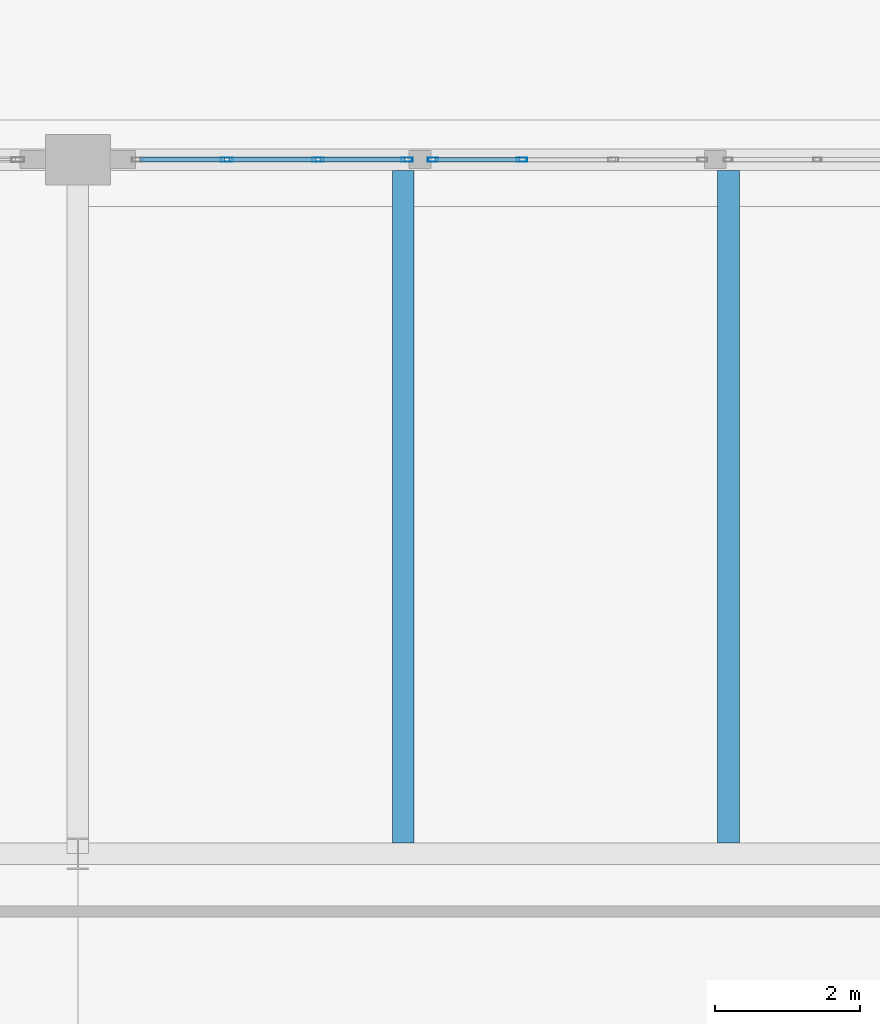
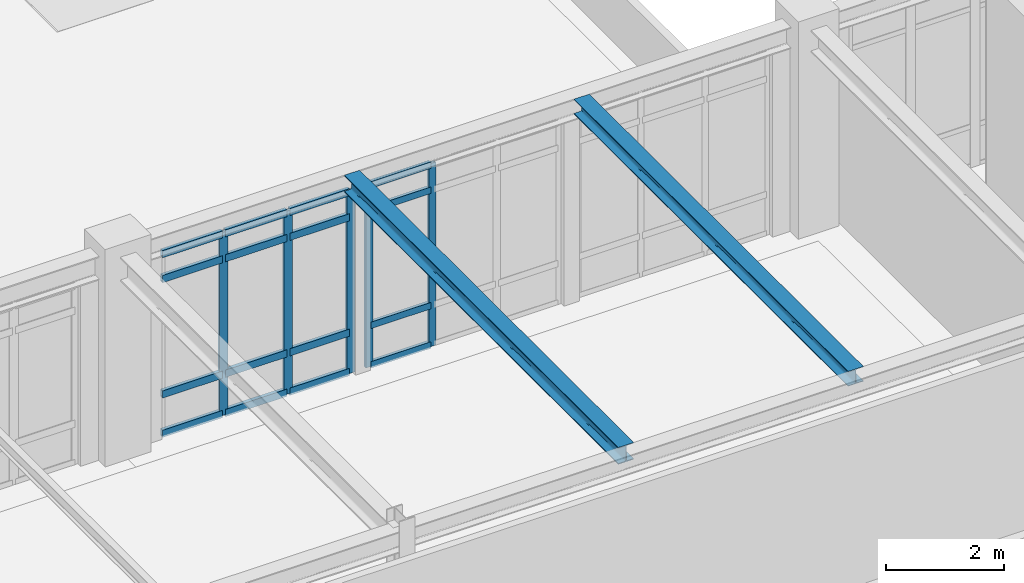
# One storey, part 30 of 55: 21 members, 2 beams, 2 elements without a shape of their own.
"""IFC4 building model written with IfcOpenShell, lengths in metres."""

from ifc_helpers import new_model, si_unit, direction, frame, origin, origin_2d, place, context, subcontext, project, spatial, hollow_rectangle, i_section, extrude, material, layer, layer_set, material_profile, profile_set, type_object, element, aggregate, save


model = new_model("IFC4")

# Units and contexts
model_context = context("Model", 3, precision=1e-05, world=origin(), true_north=direction((0.0, 1.0)))
body_context = subcontext(model_context, "Body", "Model", "MODEL_VIEW")
ifc_project = project(units=[si_unit("LENGTHUNIT", "METRE"), si_unit("AREAUNIT", "SQUARE_METRE"), si_unit("VOLUMEUNIT", "CUBIC_METRE"), si_unit("PLANEANGLEUNIT", "RADIAN"), si_unit("MASSUNIT", "GRAM", prefix="KILO")], contexts=[model_context])

# Site, building, storey
site_placement = place(None, origin())
site = spatial("IfcSite", under=ifc_project, at=site_placement, CompositionType="ELEMENT")
building_placement = place(site_placement, origin())
building = spatial("IfcBuilding", under=site, at=building_placement, Name="Fikremerkos Civic Library", CompositionType="ELEMENT")
storey_placement = place(building_placement, frame((0.0, 0.0, 18.89990234375)))
storey = spatial("IfcBuildingStorey", under=building, at=storey_placement, Name="L04", CompositionType="ELEMENT", Elevation=18.89990234375)

# Curtain wall, members
ifc_material_1 = material(Name="Anodized aluminium Frame", Category="aluminium")
ifc_layer_1 = layer(ifc_material_1, 0.159912109375, Name="Anodized aluminium Frame")
ifc_layer_set_1 = layer_set([ifc_layer_1], Name="Anodized aluminium Frame")
curtain_wall_type_1 = type_object("IfcCurtainWallType", Name="Unitised curtain wall CW-10 4000x3400", PredefinedType="USERDEFINED", material=ifc_layer_set_1)
curtain_wall_1_placement = place(storey_placement, origin())
curtain_wall_1 = element("IfcCurtainWall", 1, at=curtain_wall_1_placement, inside=storey, type_object=curtain_wall_type_1, Name="Unitised curtain wall CW-10 L04 #244", ObjectType="UNITISED CURTAIN WALL", PredefinedType="USERDEFINED")
ifc_material_profile_1 = material_profile(ifc_material_1, hollow_rectangle(XDim=0.06005859375, YDim=0.159912109375, WallThickness=0.00390625, at=origin_2d()), Name="ALU 160x60x4")
ifc_profile_set_1 = profile_set([ifc_material_profile_1], Name="Anodized aluminium Frame")
member_type_1 = type_object("IfcMemberType", Name="Curtain mullion CWM-02 ALU 160x60x4", PredefinedType="MULLION", material=ifc_profile_set_1)
member_1_placement = place(storey_placement, frame((88.759521484375, 31.199951171875, 0.0), z_axis=(0.0, 0.0, 1.0), x_axis=(0.0, 1.0, 0.0)))
member_1 = element("IfcMember", 2, at=member_1_placement, type_object=member_type_1, Name="CW-10 mullion 2", PredefinedType="MULLION", context=body_context, shape_type="SweptSolid", body=[
    extrude(hollow_rectangle(XDim=0.06005859375, YDim=0.159912109375, WallThickness=0.00390625, at=origin_2d()), origin(), (0.0, 0.0, 1.0), 3.7900390625),
])
member_2_placement = place(storey_placement, frame((90.02099609375, 31.199951171875, 0.0), z_axis=(0.0, 0.0, 1.0), x_axis=(0.0, 1.0, 0.0)))
member_2 = element("IfcMember", 3, at=member_2_placement, type_object=member_type_1, Name="CW-10 mullion 3", PredefinedType="MULLION", context=body_context, shape_type="SweptSolid", body=[
    extrude(hollow_rectangle(XDim=0.06005859375, YDim=0.159912109375, WallThickness=0.00390625, at=origin_2d()), origin(), (0.0, 0.0, 1.0), 3.7900390625),
])
member_3_placement = place(storey_placement, frame((91.252685546875, 31.199951171875, 0.0), z_axis=(0.0, 0.0, 1.0), x_axis=(0.0, 1.0, 0.0)))
member_3 = element("IfcMember", 4, at=member_3_placement, type_object=member_type_1, Name="CW-10 mullion 4", PredefinedType="MULLION", context=body_context, shape_type="SweptSolid", body=[
    extrude(hollow_rectangle(XDim=0.06005859375, YDim=0.159912109375, WallThickness=0.00390625, at=origin_2d()), origin(), (0.0, 0.0, 1.0), 3.7900390625),
])

ifc_layer_2 = layer(ifc_material_1, 0.159912109375, Name="Anodized aluminium Frame")
ifc_layer_set_2 = layer_set([ifc_layer_2], Name="Anodized aluminium Frame")
curtain_wall_type_2 = type_object("IfcCurtainWallType", Name="Unitised curtain wall CW-11 3200x3400", PredefinedType="USERDEFINED", material=ifc_layer_set_2)
curtain_wall_2_placement = place(storey_placement, origin())
curtain_wall_2 = element("IfcCurtainWall", 5, at=curtain_wall_2_placement, inside=storey, type_object=curtain_wall_type_2, Name="Unitised curtain wall CW-11 L04 #245", ObjectType="UNITISED CURTAIN WALL", PredefinedType="USERDEFINED")
ifc_material_profile_2 = material_profile(ifc_material_1, hollow_rectangle(XDim=0.06005859375, YDim=0.139892578125, WallThickness=0.00390625, at=origin_2d()), Name="ALU 140x60x4")
ifc_profile_set_2 = profile_set([ifc_material_profile_2], Name="Anodized aluminium Frame")
member_type_2 = type_object("IfcMemberType", Name="Curtain mullion CWM-03 ALU 140x60x4", PredefinedType="MULLION", material=ifc_profile_set_2)
member_4_placement = place(storey_placement, frame((91.612548828125, 31.199951171875, 0.0), z_axis=(0.0, 0.0, 1.0), x_axis=(0.0, 1.0, 0.0)))
member_4 = element("IfcMember", 6, at=member_4_placement, type_object=member_type_2, Name="CW-11 mullion 1", PredefinedType="MULLION", context=body_context, shape_type="SweptSolid", body=[
    extrude(hollow_rectangle(XDim=0.06005859375, YDim=0.139892578125, WallThickness=0.00390625, at=origin_2d()), origin(), (0.0, 0.0, 1.0), 3.7900390625),
])
member_5_placement = place(storey_placement, frame((92.84423828125, 31.199951171875, 0.0), z_axis=(0.0, 0.0, 1.0), x_axis=(0.0, 1.0, 0.0)))
member_5 = element("IfcMember", 7, at=member_5_placement, type_object=member_type_2, Name="CW-11 mullion 2", PredefinedType="MULLION", context=body_context, shape_type="SweptSolid", body=[
    extrude(hollow_rectangle(XDim=0.06005859375, YDim=0.139892578125, WallThickness=0.00390625, at=origin_2d()), origin(), (0.0, 0.0, 1.0), 3.7900390625),
])

# Member
ifc_material_profile_3 = material_profile(ifc_material_1, hollow_rectangle(XDim=0.070068359375, YDim=0.14990234375, WallThickness=0.00439453125, at=origin_2d()), Name="ALU 150x70x4.5")
ifc_profile_set_3 = profile_set([ifc_material_profile_3], Name="Anodized aluminium Frame")
member_type_3 = type_object("IfcMemberType", Name="Curtain transom CWT-01 ALU 150x70x4.5", PredefinedType="USERDEFINED", material=ifc_profile_set_3)
member_6_placement = place(storey_placement, frame((87.55810546875, 31.199951171875, 0.03515625), z_axis=(1.0, 0.0, 0.0), x_axis=(0.0, 1.0, 0.0)))
member_6 = element("IfcMember", 8, at=member_6_placement, type_object=member_type_3, Name="CW-10 transom 1.1", ObjectType="TRANSOM", PredefinedType="USERDEFINED", context=body_context, shape_type="SweptSolid", body=[
    extrude(hollow_rectangle(XDim=0.070068359375, YDim=0.14990234375, WallThickness=0.00439453125, at=origin_2d()), origin(), (0.0, 0.0, 1.0), 1.17138671875),
])

member_7_placement = place(storey_placement, frame((87.55810546875, 31.199951171875, 0.85009765625), z_axis=(1.0, 0.0, 0.0), x_axis=(0.0, 1.0, 0.0)))
member_7 = element("IfcMember", 9, at=member_7_placement, type_object=member_type_3, Name="CW-10 transom 1.2", ObjectType="TRANSOM", PredefinedType="USERDEFINED", context=body_context, shape_type="SweptSolid", body=[
    extrude(hollow_rectangle(XDim=0.070068359375, YDim=0.14990234375, WallThickness=0.00439453125, at=origin_2d()), origin(), (0.0, 0.0, 1.0), 1.17138671875),
])

member_8_placement = place(storey_placement, frame((87.55810546875, 31.199951171875, 3.239990234375), z_axis=(1.0, 0.0, 0.0), x_axis=(0.0, 1.0, 0.0)))
member_8 = element("IfcMember", 10, at=member_8_placement, type_object=member_type_3, Name="CW-10 transom 1.3", ObjectType="TRANSOM", PredefinedType="USERDEFINED", context=body_context, shape_type="SweptSolid", body=[
    extrude(hollow_rectangle(XDim=0.070068359375, YDim=0.14990234375, WallThickness=0.00439453125, at=origin_2d()), origin(), (0.0, 0.0, 1.0), 1.17138671875),
])

member_9_placement = place(storey_placement, frame((87.55810546875, 31.199951171875, 3.755126953125), z_axis=(1.0, 0.0, 0.0), x_axis=(0.0, 1.0, 0.0)))
member_9 = element("IfcMember", 11, at=member_9_placement, type_object=member_type_3, Name="CW-10 transom 1.4", ObjectType="TRANSOM", PredefinedType="USERDEFINED", context=body_context, shape_type="SweptSolid", body=[
    extrude(hollow_rectangle(XDim=0.070068359375, YDim=0.14990234375, WallThickness=0.00439453125, at=origin_2d()), origin(), (0.0, 0.0, 1.0), 1.17138671875),
])

member_10_placement = place(storey_placement, frame((88.78955078125, 31.199951171875, 0.03515625), z_axis=(1.0, 0.0, 0.0), x_axis=(0.0, 1.0, 0.0)))
member_10 = element("IfcMember", 12, at=member_10_placement, type_object=member_type_3, Name="CW-10 transom 2.1", ObjectType="TRANSOM", PredefinedType="USERDEFINED", context=body_context, shape_type="SweptSolid", body=[
    extrude(hollow_rectangle(XDim=0.070068359375, YDim=0.14990234375, WallThickness=0.00439453125, at=origin_2d()), origin(), (0.0, 0.0, 1.0), 1.20166015625),
])

member_11_placement = place(storey_placement, frame((88.78955078125, 31.199951171875, 0.85009765625), z_axis=(1.0, 0.0, 0.0), x_axis=(0.0, 1.0, 0.0)))
member_11 = element("IfcMember", 13, at=member_11_placement, type_object=member_type_3, Name="CW-10 transom 2.2", ObjectType="TRANSOM", PredefinedType="USERDEFINED", context=body_context, shape_type="SweptSolid", body=[
    extrude(hollow_rectangle(XDim=0.070068359375, YDim=0.14990234375, WallThickness=0.00439453125, at=origin_2d()), origin(), (0.0, 0.0, 1.0), 1.20166015625),
])

member_12_placement = place(storey_placement, frame((88.78955078125, 31.199951171875, 3.239990234375), z_axis=(1.0, 0.0, 0.0), x_axis=(0.0, 1.0, 0.0)))
member_12 = element("IfcMember", 14, at=member_12_placement, type_object=member_type_3, Name="CW-10 transom 2.3", ObjectType="TRANSOM", PredefinedType="USERDEFINED", context=body_context, shape_type="SweptSolid", body=[
    extrude(hollow_rectangle(XDim=0.070068359375, YDim=0.14990234375, WallThickness=0.00439453125, at=origin_2d()), origin(), (0.0, 0.0, 1.0), 1.20166015625),
])

member_13_placement = place(storey_placement, frame((88.78955078125, 31.199951171875, 3.755126953125), z_axis=(1.0, 0.0, 0.0), x_axis=(0.0, 1.0, 0.0)))
member_13 = element("IfcMember", 15, at=member_13_placement, type_object=member_type_3, Name="CW-10 transom 2.4", ObjectType="TRANSOM", PredefinedType="USERDEFINED", context=body_context, shape_type="SweptSolid", body=[
    extrude(hollow_rectangle(XDim=0.070068359375, YDim=0.14990234375, WallThickness=0.00439453125, at=origin_2d()), origin(), (0.0, 0.0, 1.0), 1.20166015625),
])

member_14_placement = place(storey_placement, frame((90.051025390625, 31.199951171875, 0.03515625), z_axis=(1.0, 0.0, 0.0), x_axis=(0.0, 1.0, 0.0)))
member_14 = element("IfcMember", 16, at=member_14_placement, type_object=member_type_3, Name="CW-10 transom 3.1", ObjectType="TRANSOM", PredefinedType="USERDEFINED", context=body_context, shape_type="SweptSolid", body=[
    extrude(hollow_rectangle(XDim=0.070068359375, YDim=0.14990234375, WallThickness=0.00439453125, at=origin_2d()), origin(), (0.0, 0.0, 1.0), 1.171630859375),
])

member_15_placement = place(storey_placement, frame((90.051025390625, 31.199951171875, 0.85009765625), z_axis=(1.0, 0.0, 0.0), x_axis=(0.0, 1.0, 0.0)))
member_15 = element("IfcMember", 17, at=member_15_placement, type_object=member_type_3, Name="CW-10 transom 3.2", ObjectType="TRANSOM", PredefinedType="USERDEFINED", context=body_context, shape_type="SweptSolid", body=[
    extrude(hollow_rectangle(XDim=0.070068359375, YDim=0.14990234375, WallThickness=0.00439453125, at=origin_2d()), origin(), (0.0, 0.0, 1.0), 1.171630859375),
])

member_16_placement = place(storey_placement, frame((90.051025390625, 31.199951171875, 3.239990234375), z_axis=(1.0, 0.0, 0.0), x_axis=(0.0, 1.0, 0.0)))
member_16 = element("IfcMember", 18, at=member_16_placement, type_object=member_type_3, Name="CW-10 transom 3.3", ObjectType="TRANSOM", PredefinedType="USERDEFINED", context=body_context, shape_type="SweptSolid", body=[
    extrude(hollow_rectangle(XDim=0.070068359375, YDim=0.14990234375, WallThickness=0.00439453125, at=origin_2d()), origin(), (0.0, 0.0, 1.0), 1.171630859375),
])

member_17_placement = place(storey_placement, frame((90.051025390625, 31.199951171875, 3.755126953125), z_axis=(1.0, 0.0, 0.0), x_axis=(0.0, 1.0, 0.0)))
member_17 = element("IfcMember", 19, at=member_17_placement, type_object=member_type_3, Name="CW-10 transom 3.4", ObjectType="TRANSOM", PredefinedType="USERDEFINED", context=body_context, shape_type="SweptSolid", body=[
    extrude(hollow_rectangle(XDim=0.070068359375, YDim=0.14990234375, WallThickness=0.00439453125, at=origin_2d()), origin(), (0.0, 0.0, 1.0), 1.171630859375),
])

aggregate(curtain_wall_1, [member_1, member_2, member_3, member_6, member_7, member_8, member_9, member_10, member_11, member_12, member_13, member_14, member_15, member_16, member_17])

ifc_material_profile_4 = material_profile(ifc_material_1, hollow_rectangle(XDim=0.06494140625, YDim=0.135009765625, WallThickness=0.00439453125, at=origin_2d()), Name="ALU 135x65x4.5")
ifc_profile_set_4 = profile_set([ifc_material_profile_4], Name="Anodized aluminium Frame")
member_type_4 = type_object("IfcMemberType", Name="Curtain transom CWT-02 ALU 135x65x4.5", PredefinedType="USERDEFINED", material=ifc_profile_set_4)
member_18_placement = place(storey_placement, frame((91.642578125, 31.199951171875, 0.03271484375), z_axis=(1.0, 0.0, 0.0), x_axis=(0.0, 1.0, 0.0)))
member_18 = element("IfcMember", 20, at=member_18_placement, type_object=member_type_4, Name="CW-11 transom 1.1", ObjectType="TRANSOM", PredefinedType="USERDEFINED", context=body_context, shape_type="SweptSolid", body=[
    extrude(hollow_rectangle(XDim=0.06494140625, YDim=0.135009765625, WallThickness=0.00439453125, at=origin_2d()), origin(), (0.0, 0.0, 1.0), 1.171630859375),
])

member_19_placement = place(storey_placement, frame((91.642578125, 31.199951171875, 0.85009765625), z_axis=(1.0, 0.0, 0.0), x_axis=(0.0, 1.0, 0.0)))
member_19 = element("IfcMember", 21, at=member_19_placement, type_object=member_type_4, Name="CW-11 transom 1.2", ObjectType="TRANSOM", PredefinedType="USERDEFINED", context=body_context, shape_type="SweptSolid", body=[
    extrude(hollow_rectangle(XDim=0.06494140625, YDim=0.135009765625, WallThickness=0.00439453125, at=origin_2d()), origin(), (0.0, 0.0, 1.0), 1.171630859375),
])

member_20_placement = place(storey_placement, frame((91.642578125, 31.199951171875, 3.239990234375), z_axis=(1.0, 0.0, 0.0), x_axis=(0.0, 1.0, 0.0)))
member_20 = element("IfcMember", 22, at=member_20_placement, type_object=member_type_4, Name="CW-11 transom 1.3", ObjectType="TRANSOM", PredefinedType="USERDEFINED", context=body_context, shape_type="SweptSolid", body=[
    extrude(hollow_rectangle(XDim=0.06494140625, YDim=0.135009765625, WallThickness=0.00439453125, at=origin_2d()), origin(), (0.0, 0.0, 1.0), 1.171630859375),
])

member_21_placement = place(storey_placement, frame((91.642578125, 31.199951171875, 3.757568359375), z_axis=(1.0, 0.0, 0.0), x_axis=(0.0, 1.0, 0.0)))
member_21 = element("IfcMember", 23, at=member_21_placement, type_object=member_type_4, Name="CW-11 transom 1.4", ObjectType="TRANSOM", PredefinedType="USERDEFINED", context=body_context, shape_type="SweptSolid", body=[
    extrude(hollow_rectangle(XDim=0.06494140625, YDim=0.135009765625, WallThickness=0.00439453125, at=origin_2d()), origin(), (0.0, 0.0, 1.0), 1.171630859375),
])

aggregate(curtain_wall_2, [member_4, member_5, member_18, member_19, member_20, member_21])

# Beams
ifc_material_2 = material(Name="Steel S355", Category="steel")
ifc_material_profile_5 = material_profile(ifc_material_2, i_section(OverallWidth=0.300048828125, OverallDepth=0.35009765625, WebThickness=0.010009765625, FlangeThickness=0.017578125, FilletRadius=0.027099609375, at=origin_2d()), Name="HEA 360")
ifc_profile_set_5 = profile_set([ifc_material_profile_5], Name="Steel S355")
beam_type_1 = type_object("IfcBeamType", Name="Floor joist JS-13 HEA 360", PredefinedType="JOIST", material=ifc_profile_set_5)
beam_1_placement = place(storey_placement, frame((91.199951171875, 21.75, 4.065185546875), z_axis=(0.0, 1.0, 0.0), x_axis=(-1.0, 0.0, 0.0)))
element("IfcBeam", 24, at=beam_1_placement, inside=storey, type_object=beam_type_1, Name="Floor joist JS-13 L04 #590", PredefinedType="JOIST", context=body_context, shape_type="SweptSolid", body=[
    extrude(i_section(OverallWidth=0.300048828125, OverallDepth=0.35009765625, WebThickness=0.010009765625, FlangeThickness=0.017578125, FilletRadius=0.027099609375, at=origin_2d()), origin(), (0.0, 0.0, 1.0), 9.300048828125),
])
ifc_material_profile_6 = material_profile(ifc_material_2, i_section(OverallWidth=0.300048828125, OverallDepth=0.31005859375, WebThickness=0.009033203125, FlangeThickness=0.015380859375, FilletRadius=0.027099609375, at=origin_2d()), Name="HEA 320")
ifc_profile_set_6 = profile_set([ifc_material_profile_6], Name="Steel S355")
beam_type_2 = type_object("IfcBeamType", Name="Floor joist JS-14 HEA 320", PredefinedType="JOIST", material=ifc_profile_set_6)
beam_2_placement = place(storey_placement, frame((95.699951171875, 21.75, 4.085205078125), z_axis=(0.0, 1.0, 0.0), x_axis=(-1.0, 0.0, 0.0)))
element("IfcBeam", 25, at=beam_2_placement, inside=storey, type_object=beam_type_2, Name="Floor joist JS-14 L04 #591", PredefinedType="JOIST", context=body_context, shape_type="SweptSolid", body=[
    extrude(i_section(OverallWidth=0.300048828125, OverallDepth=0.31005859375, WebThickness=0.009033203125, FlangeThickness=0.015380859375, FilletRadius=0.027099609375, at=origin_2d()), origin(), (0.0, 0.0, 1.0), 9.300048828125),
])

save(model, "model.ifc")
